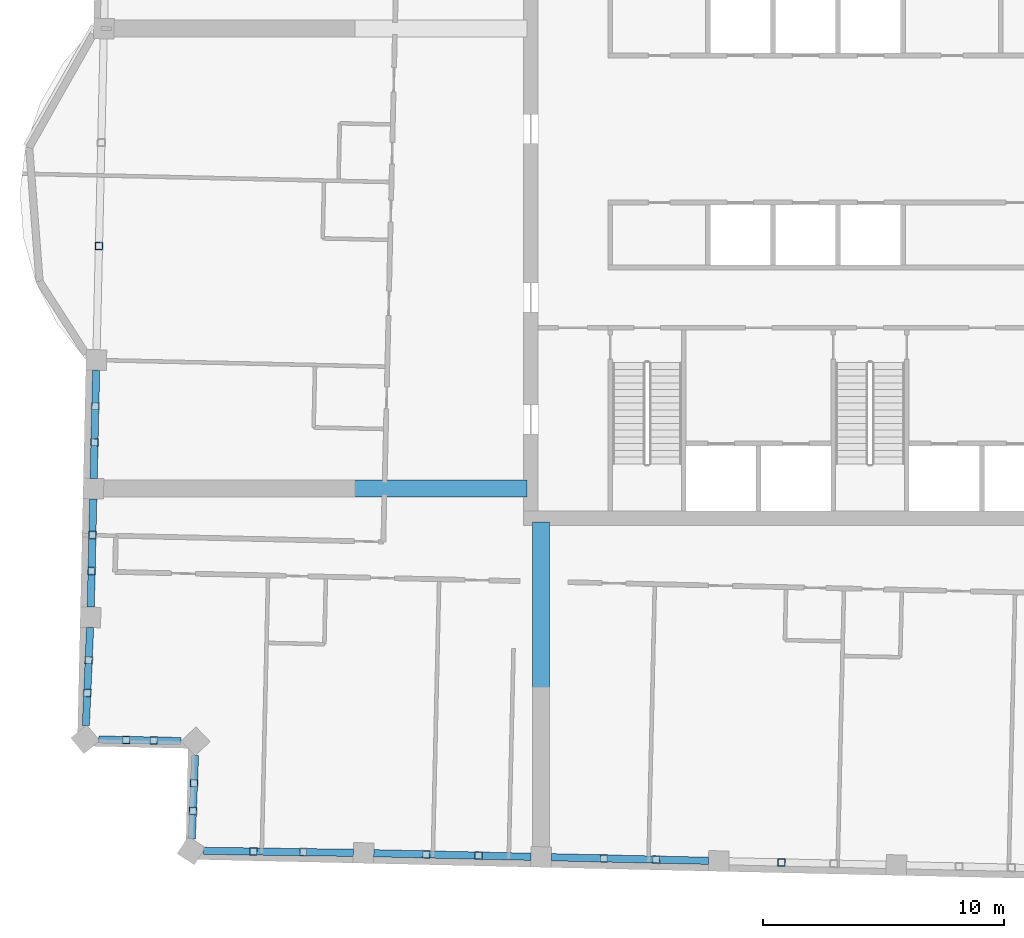
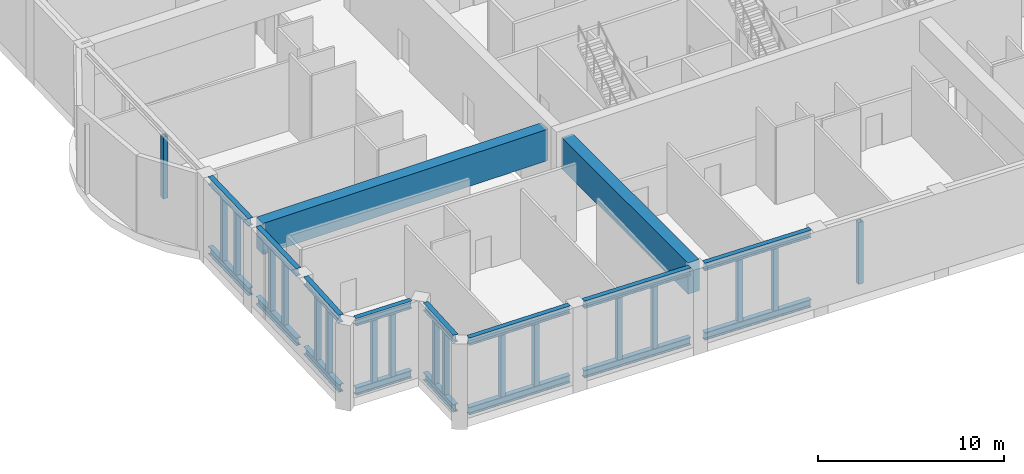
# One storey, part 2 of 16: 34 members, 2 beams.
"""IFC4 building model written with IfcOpenShell, lengths in metres."""

import ifcopenshell
import ifcopenshell.guid

model = None  # the IFC model being written
_history = None  # IfcOwnerHistory: only IFC2X3 demands one
_inside = {}  # id of a spatial element -> (the spatial element, [elements in it])
_under = {}  # id of a project, library or spatial element -> (it, [spatial elements below it])
_declared = {}  # id of a project -> (the project, [libraries it declares])
_typed = {}  # id of a type object -> (the type object, [elements of that type])
_made_of = {}  # id of a material, layer set ... -> (it, [elements and type objects made of it])


def new_model(schema):
    """Start an empty IFC model of exactly this schema.

    Asked for "IFC4X3", IfcOpenShell would pick the latest addendum, in which some entities
    have other attributes; the version numbers below select the first issue.
    IFC2X3 requires an IfcOwnerHistory on every rooted entity: one is made here for all.
    """
    global model, _history
    if schema == "IFC4X3":
        model = ifcopenshell.file(schema_version=(4, 3, 0, 0))
    else:
        model = ifcopenshell.file(schema=schema)
    _inside.clear()
    _under.clear()
    _declared.clear()
    _typed.clear()
    _made_of.clear()
    _history = None
    if model.schema == "IFC2X3":
        org = make("IfcOrganization", Name="unknown")
        user = make(
            "IfcPersonAndOrganization",
            ThePerson=make("IfcPerson", FamilyName="unknown"),
            TheOrganization=org,
        )
        app = make(
            "IfcApplication",
            ApplicationDeveloper=org,
            Version="unknown",
            ApplicationFullName="unknown",
            ApplicationIdentifier="unknown",
        )
        _history = make(
            "IfcOwnerHistory",
            OwningUser=user,
            OwningApplication=app,
            ChangeAction="ADDED",
            CreationDate=0,
        )
    return model


def make(cls, **values):
    """One entity of the class cls with the attributes given. An attribute that is None is left unset."""
    return model.create_entity(
        cls, **{name: value for name, value in values.items() if value is not None}
    )


def rooted(cls, **values):
    """An entity with a GlobalId (a new one), such as an element, a storey or a relation."""
    return make(cls, GlobalId=ifcopenshell.guid.new(), OwnerHistory=_history, **values)


def si_unit(unit_type, name, prefix=None):
    """IfcSIUnit, for example si_unit("LENGTHUNIT", "METRE", prefix="MILLI")."""
    return make("IfcSIUnit", UnitType=unit_type, Prefix=prefix, Name=name)


def assignment(units):
    """IfcUnitAssignment: the units of a project."""
    return None if units is None else make("IfcUnitAssignment", Units=units)


def point(xyz):
    """IfcCartesianPoint."""
    return None if xyz is None else make("IfcCartesianPoint", Coordinates=xyz)


def direction(xyz):
    """IfcDirection."""
    return None if xyz is None else make("IfcDirection", DirectionRatios=xyz)


def frame(location, z_axis=None, x_axis=None):
    """IfcAxis2Placement3D, a coordinate frame: its origin and axes. An axis left out is left unset."""
    return make(
        "IfcAxis2Placement3D",
        Location=point(location),
        Axis=direction(z_axis),
        RefDirection=direction(x_axis),
    )


def frame_2d(location, x_axis=None):
    """IfcAxis2Placement2D, a coordinate frame in the plane: its origin and x axis."""
    return make(
        "IfcAxis2Placement2D", Location=point(location), RefDirection=direction(x_axis)
    )


def origin():
    """The frame at (0, 0, 0) with its axes left unset."""
    return frame((0.0, 0.0, 0.0))


def origin_2d():
    """The frame at (0, 0) in the plane with its x axis left unset."""
    return frame_2d((0.0, 0.0))


def place(relative_to, where):
    """IfcLocalPlacement: puts the frame where relative to a parent placement (None: the world)."""
    return make(
        "IfcLocalPlacement", PlacementRelTo=relative_to, RelativePlacement=where
    )


def context(
    kind, dimensions, precision=None, world=None, true_north=None, identifier=None
):
    """IfcGeometricRepresentationContext, for example the 3D "Model" context."""
    return make(
        "IfcGeometricRepresentationContext",
        ContextIdentifier=identifier,
        ContextType=kind,
        CoordinateSpaceDimension=dimensions,
        Precision=precision,
        WorldCoordinateSystem=world,
        TrueNorth=true_north,
    )


def subcontext(parent, identifier, kind, view, scale=None):
    """IfcGeometricRepresentationSubContext, for example "Body" below "Model"."""
    return make(
        "IfcGeometricRepresentationSubContext",
        ContextIdentifier=identifier,
        ContextType=kind,
        ParentContext=parent,
        TargetScale=scale,
        TargetView=view,
    )


def project(units=None, contexts=None):
    """IfcProject with its units and contexts."""
    return rooted(
        "IfcProject",
        Name="project",
        RepresentationContexts=contexts,
        UnitsInContext=assignment(units),
    )


def spatial(cls, under=None, at=None, **own):
    """A site, building, storey or space (cls), placed at a placement, below another one or the project."""
    s = rooted(cls, ObjectPlacement=at, **own)
    if under is not None:
        _under.setdefault(under.id(), (under, []))[1].append(s)
    return s


def profile(cls, at=None, kind="AREA", **sizes):
    """A parametric profile (cls). Its sizes go by their IFC names, for example OverallWidth=200.0."""
    return make(cls, ProfileType=kind, Position=at, **sizes)


def rectangle(**sizes):
    """IfcRectangleProfileDef."""
    return profile("IfcRectangleProfileDef", **sizes)


def hollow_rectangle(**sizes):
    """IfcRectangleHollowProfileDef."""
    return profile("IfcRectangleHollowProfileDef", **sizes)


def i_section(**sizes):
    """IfcIShapeProfileDef."""
    return profile("IfcIShapeProfileDef", **sizes)


def extrude(swept, where, along, depth):
    """IfcExtrudedAreaSolid: the profile swept, set in the frame where, extruded along a direction by depth."""
    return make(
        "IfcExtrudedAreaSolid",
        SweptArea=swept,
        Position=where,
        ExtrudedDirection=direction(along),
        Depth=depth,
    )


def shape(context_of_items, identifier, shape_type, items):
    """IfcShapeRepresentation: the items that make up one representation, for example the "Body"."""
    return make(
        "IfcShapeRepresentation",
        ContextOfItems=context_of_items,
        RepresentationIdentifier=identifier,
        RepresentationType=shape_type,
        Items=items,
    )


def material(Name=None, Category=None):
    """IfcMaterial."""
    return make("IfcMaterial", Name=Name, Category=Category)


def material_profile(
    of_material, cross_section, Name=None, Category=None, Priority=None
):
    """IfcMaterialProfile: a cross section and its material."""
    return make(
        "IfcMaterialProfile",
        Name=Name,
        Material=of_material,
        Profile=cross_section,
        Priority=Priority,
        Category=Category,
    )


def profile_set(profiles, Name=None, composite=None):
    """IfcMaterialProfileSet."""
    return make(
        "IfcMaterialProfileSet",
        Name=Name,
        MaterialProfiles=profiles,
        CompositeProfile=composite,
    )


def made_of(thing, what):
    """Note that an element or type object is made of a material, layer set ...; save() writes the relation."""
    if what is not None:
        _made_of.setdefault(what.id(), (what, []))[1].append(thing)
    return thing


def type_object(cls, material=None, **own):
    """A type object (cls), such as IfcWallType, which elements share."""
    return made_of(rooted(cls, **own), material)


def element(
    cls,
    number,
    at=None,
    inside=None,
    cuts=None,
    type_object=None,
    material=None,
    context=None,
    identifier="Body",
    shape_type=None,
    held_by="IfcProductDefinitionShape",
    body=None,
    shapes=None,
    **own,
):
    """One element of the class cls, such as IfcWall. Its Tag is "e" and its number.

    at: its placement. inside: the storey or other place that contains it. cuts: it is an
    opening in that element (IfcRelVoidsElement). A single representation is given by context,
    identifier, shape_type and body (its items); several are given by shapes. held_by: the class
    of the entity that holds the representations. save() writes the other relations.
    """
    e = rooted(cls, Tag="e%d" % number, ObjectPlacement=at, **own)
    if body is not None:
        shapes = [shape(context, identifier, shape_type, body)]
    if shapes is not None:
        e.Representation = make(held_by, Representations=shapes)
    if inside is not None:
        _inside.setdefault(inside.id(), (inside, []))[1].append(e)
    if cuts is not None:
        rooted(
            "IfcRelVoidsElement", RelatingBuildingElement=cuts, RelatedOpeningElement=e
        )
    if type_object is not None:
        _typed.setdefault(type_object.id(), (type_object, []))[1].append(e)
    return made_of(e, material)


def aggregate(whole, parts):
    """IfcRelAggregates: a whole, such as a stair, and the parts it consists of."""
    return rooted("IfcRelAggregates", RelatingObject=whole, RelatedObjects=parts)


def save(model, path):
    """Write the relations noted so far, then the file.

    IfcRelAggregates (storeys below a building ...), IfcRelContainedInSpatialStructure (elements
    in a storey), IfcRelDefinesByType, IfcRelAssociatesMaterial and IfcRelDeclares: one each for
    every whole, place, type object, material and project.
    """
    for whole, parts in _under.values():
        aggregate(whole, parts)
    for where, things in _inside.values():
        rooted(
            "IfcRelContainedInSpatialStructure",
            RelatedElements=things,
            RelatingStructure=where,
        )
    for kind, things in _typed.values():
        rooted("IfcRelDefinesByType", RelatedObjects=things, RelatingType=kind)
    for what, things in _made_of.values():
        rooted("IfcRelAssociatesMaterial", RelatedObjects=things, RelatingMaterial=what)
    for by, libraries in _declared.values():
        rooted("IfcRelDeclares", RelatingContext=by, RelatedDefinitions=libraries)
    model.write(path)


model = new_model("IFC4")

# Units and contexts
model_context = context("Model", 3, precision=1e-05, world=origin(), true_north=direction((0.0, 1.0)))
body_context = subcontext(model_context, "Body", "Model", "MODEL_VIEW")
ifc_project = project(units=[si_unit("LENGTHUNIT", "METRE"), si_unit("AREAUNIT", "SQUARE_METRE"), si_unit("VOLUMEUNIT", "CUBIC_METRE"), si_unit("PLANEANGLEUNIT", "RADIAN"), si_unit("MASSUNIT", "GRAM", prefix="KILO")], contexts=[model_context])

# Site, building, storey
site_placement = place(None, origin())
site = spatial("IfcSite", under=ifc_project, at=site_placement, CompositionType="ELEMENT")
building_placement = place(site_placement, origin())
building = spatial("IfcBuilding", under=site, at=building_placement, Name="Mangrove Gate Tower", CompositionType="ELEMENT")
storey_placement = place(building_placement, frame((0.0, 0.0, 324.10009765625)))
storey = spatial("IfcBuildingStorey", under=building, at=storey_placement, Name="L83", CompositionType="ELEMENT", Elevation=324.10009765625)

# Members
ifc_material_1 = material(Name="Steel S355J2", Category="steel")
ifc_material_profile_1 = material_profile(ifc_material_1, i_section(OverallWidth=0.300048828125, OverallDepth=0.5, WebThickness=0.014404296875, FlangeThickness=0.028076171875, FilletRadius=0.027099609375, at=origin_2d()))
ifc_profile_set_1 = profile_set([ifc_material_profile_1], Name="Steel S355J2")
member_type_1 = type_object("IfcMemberType", Name="Belt truss chord HE 500 B", PredefinedType="CHORD", material=ifc_profile_set_1)
for number, where, z_axis, x_axis, name in (
    (1, (-32.1328125, -4.95947265625, 0.25), (-0.022612746219, -0.999744299163, 0.0), (0.999744299163, -0.022612746219, 0.0), "Belt truss bottom chord L83 00"),
    (2, (-32.1328125, -4.95947265625, 4.7998046875), (-0.022612746219, -0.999744299163, 0.0), (0.999744299163, -0.022612746219, 0.0), "Belt truss top chord L83 00"),
    (3, (-32.253662109375, -10.299560546875, 0.25), (-0.022667075886, -0.999743068829, 0.0), (0.999743068829, -0.022667075886, 0.0), "Belt truss bottom chord L83 01"),
    (4, (-32.253662109375, -10.299560546875, 4.7998046875), (-0.022667075886, -0.999743068829, 0.0), (0.999743068829, -0.022667075886, 0.0), "Belt truss top chord L83 01"),
):
    element("IfcMember", number, at=place(storey_placement, frame(where, z_axis=z_axis, x_axis=x_axis)), inside=storey, type_object=member_type_1, Name=name, PredefinedType="CHORD", context=body_context, shape_type="SweptSolid", body=[
        extrude(i_section(OverallWidth=0.300048828125, OverallDepth=0.5, WebThickness=0.014404296875, FlangeThickness=0.028076171875, FilletRadius=0.027099609375, at=origin_2d()), origin(), (0.0, 0.0, 1.0), 4.491455078125),
    ])
for number, where, z_axis, x_axis, name in (
    (5, (-32.383544921875, -15.639404296875, 0.25), (-0.04314038949, -0.999069020035, 0.0), (0.999069020035, -0.04314038949, 0.0), "Belt truss bottom chord L83 02"),
    (6, (-32.383544921875, -15.639404296875, 4.7998046875), (-0.04314038949, -0.999069020035, 0.0), (0.999069020035, -0.04314038949, 0.0), "Belt truss top chord L83 02"),
):
    element("IfcMember", number, at=place(storey_placement, frame(where, z_axis=z_axis, x_axis=x_axis)), inside=storey, type_object=member_type_1, Name=name, PredefinedType="CHORD", context=body_context, shape_type="SweptSolid", body=[
        extrude(i_section(OverallWidth=0.300048828125, OverallDepth=0.5, WebThickness=0.014404296875, FlangeThickness=0.028076171875, FilletRadius=0.027099609375, at=origin_2d()), origin(), (0.0, 0.0, 1.0), 4.069091796875),
    ])
for number, where, z_axis, x_axis, name in (
    (7, (-32.025390625, -20.284912109375, 0.25), (0.999842209921, -0.017763875153, 0.0), (0.017763875153, 0.999842209921, 0.0), "Belt truss bottom chord L83 03"),
    (8, (-32.025390625, -20.284912109375, 4.7998046875), (0.999842209921, -0.017763875153, 0.0), (0.017763875153, 0.999842209921, 0.0), "Belt truss top chord L83 03"),
):
    element("IfcMember", number, at=place(storey_placement, frame(where, z_axis=z_axis, x_axis=x_axis)), inside=storey, type_object=member_type_1, Name=name, PredefinedType="CHORD", context=body_context, shape_type="SweptSolid", body=[
        extrude(i_section(OverallWidth=0.300048828125, OverallDepth=0.5, WebThickness=0.014404296875, FlangeThickness=0.028076171875, FilletRadius=0.027099609375, at=origin_2d()), origin(), (0.0, 0.0, 1.0), 3.422119140625),
    ])
for number, where, z_axis, x_axis, name in (
    (9, (-28.029052734375, -20.947265625, 0.25), (-0.039163422827, -0.999232818873, 0.0), (0.999232818873, -0.039163422827, 0.0), "Belt truss bottom chord L83 04"),
    (10, (-28.029052734375, -20.947265625, 4.7998046875), (-0.039163422827, -0.999232818873, 0.0), (0.999232818873, -0.039163422827, 0.0), "Belt truss top chord L83 04"),
):
    element("IfcMember", number, at=place(storey_placement, frame(where, z_axis=z_axis, x_axis=x_axis)), inside=storey, type_object=member_type_1, Name=name, PredefinedType="CHORD", context=body_context, shape_type="SweptSolid", body=[
        extrude(i_section(OverallWidth=0.300048828125, OverallDepth=0.5, WebThickness=0.014404296875, FlangeThickness=0.028076171875, FilletRadius=0.027099609375, at=origin_2d()), origin(), (0.0, 0.0, 1.0), 3.45361328125),
    ])
for number, where, z_axis, x_axis, name in (
    (11, (-27.68017578125, -24.900634765625, 0.25), (0.999907164256, -0.01362581629, 0.0), (0.01362581629, 0.999907164256, 0.0), "Belt truss bottom chord L83 05"),
    (12, (-27.68017578125, -24.900634765625, 4.7998046875), (0.999907164256, -0.01362581629, 0.0), (0.01362581629, 0.999907164256, 0.0), "Belt truss top chord L83 05"),
):
    element("IfcMember", number, at=place(storey_placement, frame(where, z_axis=z_axis, x_axis=x_axis)), inside=storey, type_object=member_type_1, Name=name, PredefinedType="CHORD", context=body_context, shape_type="SweptSolid", body=[
        extrude(i_section(OverallWidth=0.300048828125, OverallDepth=0.5, WebThickness=0.014404296875, FlangeThickness=0.028076171875, FilletRadius=0.027099609375, at=origin_2d()), origin(), (0.0, 0.0, 1.0), 6.21728515625),
    ])
for number, where, z_axis, x_axis, name in (
    (13, (-20.613525390625, -25.000732421875, 0.25), (0.999743514138, -0.022647426744, 0.0), (0.022647426744, 0.999743514138, 0.0), "Belt truss bottom chord L83 06"),
    (14, (-20.613525390625, -25.000732421875, 4.7998046875), (0.999743514138, -0.022647426744, 0.0), (0.022647426744, 0.999743514138, 0.0), "Belt truss top chord L83 06"),
):
    element("IfcMember", number, at=place(storey_placement, frame(where, z_axis=z_axis, x_axis=x_axis)), inside=storey, type_object=member_type_1, Name=name, PredefinedType="CHORD", context=body_context, shape_type="SweptSolid", body=[
        extrude(i_section(OverallWidth=0.300048828125, OverallDepth=0.5, WebThickness=0.014404296875, FlangeThickness=0.028076171875, FilletRadius=0.027099609375, at=origin_2d()), origin(), (0.0, 0.0, 1.0), 6.52197265625),
    ])
for number, where, z_axis, x_axis, name in (
    (15, (-13.243408203125, -25.167724609375, 0.25), (0.999743418111, -0.022651665342, 0.0), (0.022651665342, 0.999743418111, 0.0), "Belt truss bottom chord L83 07"),
    (16, (-13.243408203125, -25.167724609375, 4.7998046875), (0.999743418111, -0.022651665342, 0.0), (0.022651665342, 0.999743418111, 0.0), "Belt truss top chord L83 07"),
):
    element("IfcMember", number, at=place(storey_placement, frame(where, z_axis=z_axis, x_axis=x_axis)), inside=storey, type_object=member_type_1, Name=name, PredefinedType="CHORD", context=body_context, shape_type="SweptSolid", body=[
        extrude(i_section(OverallWidth=0.300048828125, OverallDepth=0.5, WebThickness=0.014404296875, FlangeThickness=0.028076171875, FilletRadius=0.027099609375, at=origin_2d()), origin(), (0.0, 0.0, 1.0), 6.520751953125),
    ])
ifc_material_2 = material(Name="Steel S355J2H", Category="steel")
ifc_material_profile_2 = material_profile(ifc_material_2, hollow_rectangle(XDim=0.300048828125, YDim=0.300048828125, WallThickness=0.012451171875, at=origin_2d()))
ifc_profile_set_2 = profile_set([ifc_material_profile_2], Name="Steel S355J2H")
member_type_2 = type_object("IfcMemberType", Name="Belt truss post SHS 300x300x12.5", PredefinedType="POST", material=ifc_profile_set_2)
for number, where, z_axis, x_axis, name in (
    (17, (-32.166748046875, -6.456298828125, 0.5), (0.0, 0.0, 1.0), (-0.022653413092, -0.99974337851, 0.0), "Belt truss post L83 00-1"),
    (18, (-32.20068359375, -7.952880859375, 0.5), (0.0, 0.0, 1.0), (-0.022653413092, -0.99974337851, 0.0), "Belt truss post L83 00-2"),
    (19, (-32.28759765625, -11.79638671875, 0.5), (0.0, 0.0, 1.0), (-0.022653378195, -0.999743379301, 0.0), "Belt truss post L83 01-1"),
    (20, (-32.321533203125, -13.29296875, 0.5), (0.0, 0.0, 1.0), (-0.022653378195, -0.999743379301, 0.0), "Belt truss post L83 01-2"),
    (21, (-32.44189453125, -16.994384765625, 0.5), (0.0, 0.0, 1.0), (-0.043159577488, -0.999068191302, 0.0), "Belt truss post L83 02-1"),
    (22, (-32.50048828125, -18.349609375, 0.5), (0.0, 0.0, 1.0), (-0.043159577488, -0.999068191302, 0.0), "Belt truss post L83 02-2"),
    (23, (-30.884765625, -20.30517578125, 0.5), (0.0, 0.0, 1.0), (0.99984233658, -0.017756744686, 0.0), "Belt truss post L83 03-1"),
    (24, (-29.744384765625, -20.325439453125, 0.5), (0.0, 0.0, 1.0), (0.99984233658, -0.017756744686, 0.0), "Belt truss post L83 03-2"),
    (25, (-28.073974609375, -22.09765625, 0.5), (0.0, 0.0, 1.0), (-0.039232906077, -0.999230093162, 0.0), "Belt truss post L83 04-1"),
    (26, (-28.119140625, -23.247802734375, 0.5), (0.0, 0.0, 1.0), (-0.039232906077, -0.999230093162, 0.0), "Belt truss post L83 04-2"),
    (27, (-25.60791015625, -24.9287109375, 0.5), (0.0, 0.0, 1.0), (0.999906983887, -0.013639045952, 0.0), "Belt truss post L83 05-1"),
    (28, (-23.53564453125, -24.95703125, 0.5), (0.0, 0.0, 1.0), (0.999906983887, -0.013639045952, 0.0), "Belt truss post L83 05-2"),
    (29, (-18.440185546875, -25.050048828125, 0.5), (0.0, 0.0, 1.0), (0.999743373766, -0.022653622478, 0.0), "Belt truss post L83 06-1"),
    (30, (-16.2666015625, -25.09912109375, 0.5), (0.0, 0.0, 1.0), (0.999743373766, -0.022653622478, 0.0), "Belt truss post L83 06-2"),
    (31, (-11.0703125, -25.217041015625, 0.5), (0.0, 0.0, 1.0), (0.999743304174, -0.022656693469, 0.0), "Belt truss post L83 07-1"),
    (32, (-8.897216796875, -25.26611328125, 0.5), (0.0, 0.0, 1.0), (0.999743304174, -0.022656693469, 0.0), "Belt truss post L83 07-2"),
    (33, (-3.701171875, -25.384033203125, 0.5), (0.0, 0.0, 1.0), (0.999743372975, -0.022653657376, 0.0), "Belt truss post L83 08-1"),
    (34, (-32.015869140625, 0.189208984375, 0.5), (0.0, 0.0, 1.0), (-0.022690020688, -0.99974254834, 0.0), "Belt truss post L83 35-2"),
):
    element("IfcMember", number, at=place(storey_placement, frame(where, z_axis=z_axis, x_axis=x_axis)), inside=storey, type_object=member_type_2, Name=name, PredefinedType="POST", context=body_context, shape_type="SweptSolid", body=[
        extrude(hollow_rectangle(XDim=0.300048828125, YDim=0.300048828125, WallThickness=0.012451171875, at=origin_2d()), origin(), (0.0, 0.0, 1.0), 4.0498046875),
    ])

# Beams
ifc_material_3 = material(Name="Concrete C50/60", Category="concrete")
ifc_material_profile_3 = material_profile(ifc_material_3, rectangle(XDim=0.699951171875, YDim=2.050048828125, at=origin_2d()))
ifc_profile_set_3 = profile_set([ifc_material_profile_3], Name="Concrete C50/60")
beam_type = type_object("IfcBeamType", Name="Outrigger coupling beam RC 700x2050 C50/60", PredefinedType="BEAM", material=ifc_profile_set_3)
beam_1_placement = place(storey_placement, frame((-14.25, -9.87451171875, 4.02490234375), z_axis=(-1.0, 0.0, 0.0), x_axis=(0.0, -1.0, 0.0)))
element("IfcBeam", 35, at=beam_1_placement, inside=storey, type_object=beam_type, Name="Outrigger coupling beam L83 OR6", PredefinedType="BEAM", context=body_context, shape_type="SweptSolid", body=[
    extrude(rectangle(XDim=0.699951171875, YDim=2.050048828125, at=origin_2d()), origin(), (0.0, 0.0, 1.0), 17.6689453125),
])
beam_2_placement = place(storey_placement, frame((-13.66845703125, -11.25, 4.02490234375), z_axis=(0.0, -1.0, 0.0), x_axis=(1.0, 0.0, 0.0)))
element("IfcBeam", 36, at=beam_2_placement, inside=storey, type_object=beam_type, Name="Outrigger coupling beam L83 OR8", PredefinedType="BEAM", context=body_context, shape_type="SweptSolid", body=[
    extrude(rectangle(XDim=0.699951171875, YDim=2.050048828125, at=origin_2d()), origin(), (0.0, 0.0, 1.0), 13.5830078125),
])

save(model, "model.ifc")
